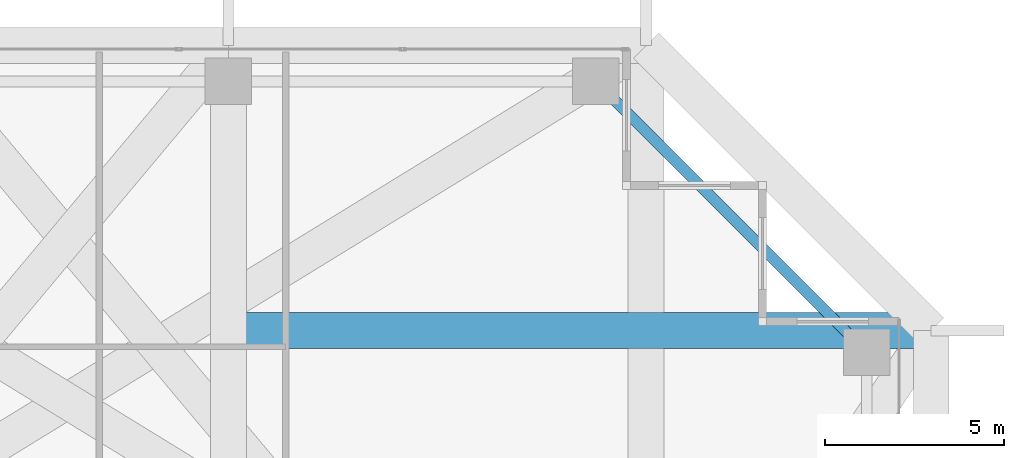
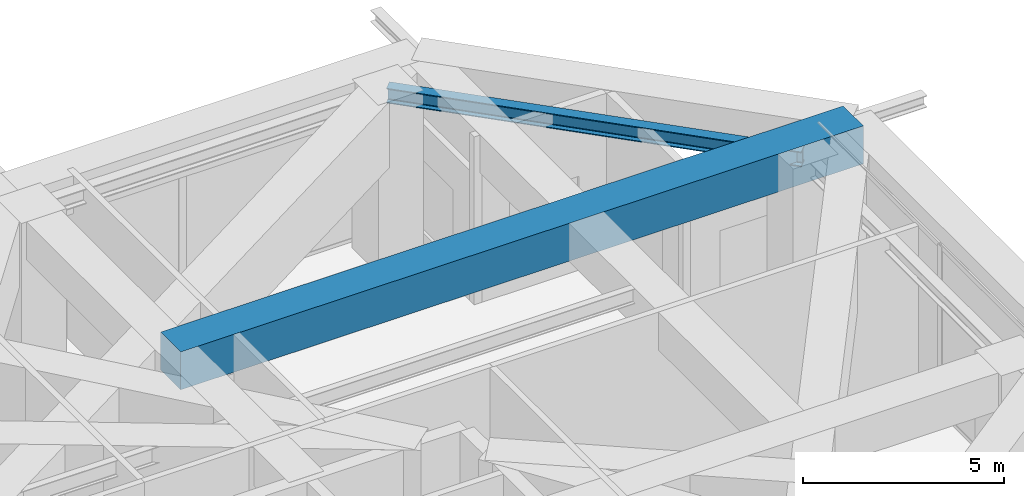
# One storey, part 27 of 38: 2 beams.
"""IFC4 building model written with IfcOpenShell, lengths in metres."""

from ifc_helpers import new_model, si_unit, direction, frame, origin, origin_2d, place, context, subcontext, project, spatial, rectangle, i_section, extrude, source, transform, mapped, material, material_profile, profile_set, type_object, element, save


model = new_model("IFC4")

# Units and contexts
model_context = context("Model", 3, precision=1e-05, world=origin(), true_north=direction((0.0, 1.0)))
body_context = subcontext(model_context, "Body", "Model", "MODEL_VIEW")
ifc_project = project(units=[si_unit("LENGTHUNIT", "METRE"), si_unit("AREAUNIT", "SQUARE_METRE"), si_unit("VOLUMEUNIT", "CUBIC_METRE"), si_unit("PLANEANGLEUNIT", "RADIAN"), si_unit("MASSUNIT", "GRAM", prefix="KILO")], contexts=[model_context])

# Site, building, storey
site_placement = place(None, origin())
site = spatial("IfcSite", under=ifc_project, at=site_placement, CompositionType="ELEMENT")
building_placement = place(site_placement, origin())
building = spatial("IfcBuilding", under=site, at=building_placement, Name="Serunith Strait Residences", CompositionType="ELEMENT")
storey_placement = place(building_placement, frame((0.0, 0.0, 204.89990234375)))
storey = spatial("IfcBuildingStorey", under=building, at=storey_placement, Name="L51", CompositionType="ELEMENT", Elevation=204.89990234375)

# Beams
ifc_material_1 = material(Name="Steel S355J2", Category="steel")
ifc_material_profile_1 = material_profile(ifc_material_1, i_section(OverallWidth=0.300048828125, OverallDepth=0.449951171875, WebThickness=0.013916015625, FlangeThickness=0.02587890625, FilletRadius=0.027099609375, at=origin_2d()), Name="HEB 450")
ifc_profile_set_1 = profile_set([ifc_material_profile_1], Name="Steel S355J2")
beam_type_1 = type_object("IfcBeamType", Name="BM-HEB450", PredefinedType="BEAM", material=ifc_profile_set_1)
shared_shape_1 = source(origin(), body_context, "Body", "SweptSolid", [
    extrude(i_section(OverallWidth=0.300048828125, OverallDepth=0.449951171875, WebThickness=0.013916015625, FlangeThickness=0.02587890625, FilletRadius=0.027099609375, at=origin_2d()), origin(), (0.0, 0.0, 1.0), 10.677490234375),
])
beam_1_placement = place(storey_placement, frame((54.699951171875, 39.75, 4.882080078125), z_axis=(-0.707106781187, 0.707106781187, 0.0), x_axis=(-0.707106781187, -0.707106781187, 0.0)))
element("IfcBeam", 1, at=beam_1_placement, inside=storey, type_object=beam_type_1, Name="L51 Perimeter Ring Beam 08", PredefinedType="BEAM", context=body_context, shape_type="MappedRepresentation", body=[
    mapped(shared_shape_1, transform((0.0, 0.0, 0.0), scale=1.0)),
])
ifc_material_2 = material(Name="Concrete C80/95", Category="concrete")
ifc_material_profile_2 = material_profile(ifc_material_2, rectangle(XDim=1.0, YDim=1.14990234375, at=origin_2d()), Name="RC 1000x1150")
ifc_profile_set_2 = profile_set([ifc_material_profile_2], Name="Concrete C80/95")
beam_type_2 = type_object("IfcBeamType", Name="BM-XFER-1000x1150", PredefinedType="BEAM", material=ifc_profile_set_2)
shared_shape_2 = source(origin(), body_context, "Body", "SweptSolid", [
    extrude(rectangle(XDim=1.0, YDim=1.14990234375, at=origin_2d()), origin(), (0.0, 0.0, 1.0), 19.60009765625),
])
beam_2_placement = place(storey_placement, frame((36.89990234375, 40.35009765625, 4.53515625), z_axis=(1.0, 0.0, 0.0), x_axis=(0.0, 1.0, 0.0)))
element("IfcBeam", 2, at=beam_2_placement, inside=storey, type_object=beam_type_2, Name="L51 Orthogonal Corner Girder TC-E4", PredefinedType="BEAM", context=body_context, shape_type="MappedRepresentation", body=[
    mapped(shared_shape_2, transform((0.0, 0.0, 0.0), scale=1.0)),
])

save(model, "model.ifc")
